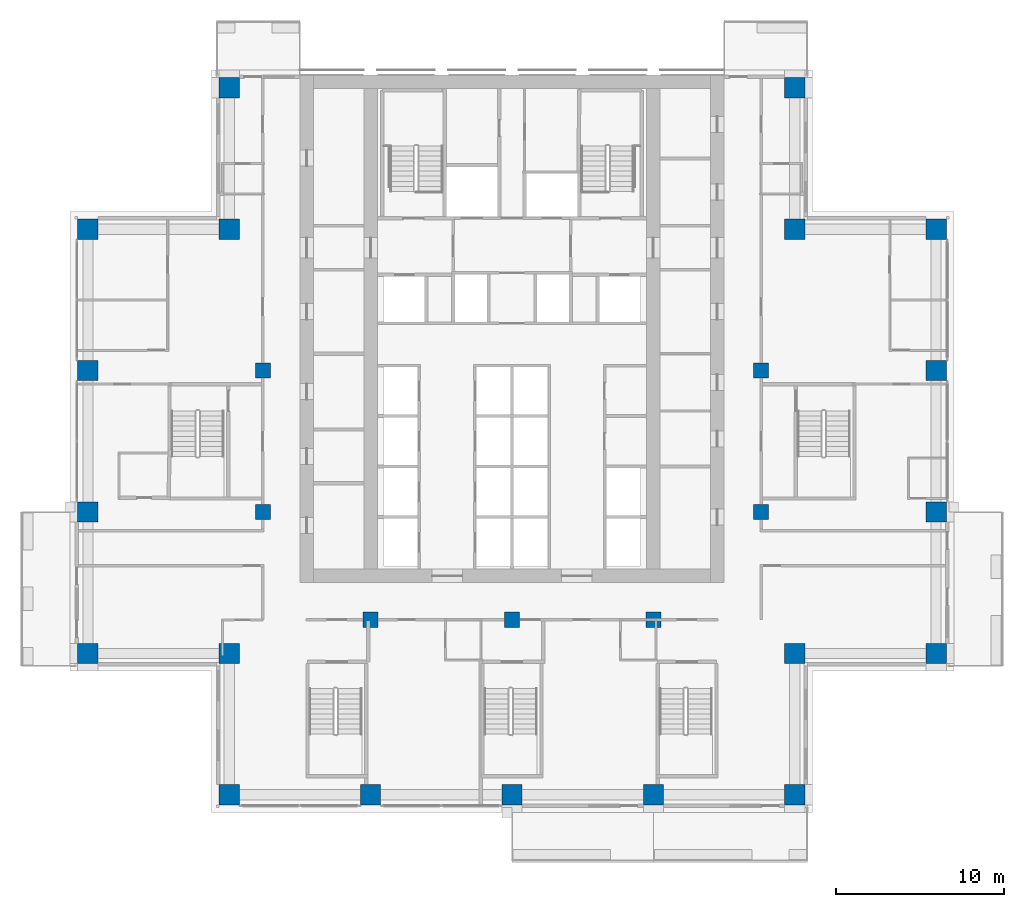
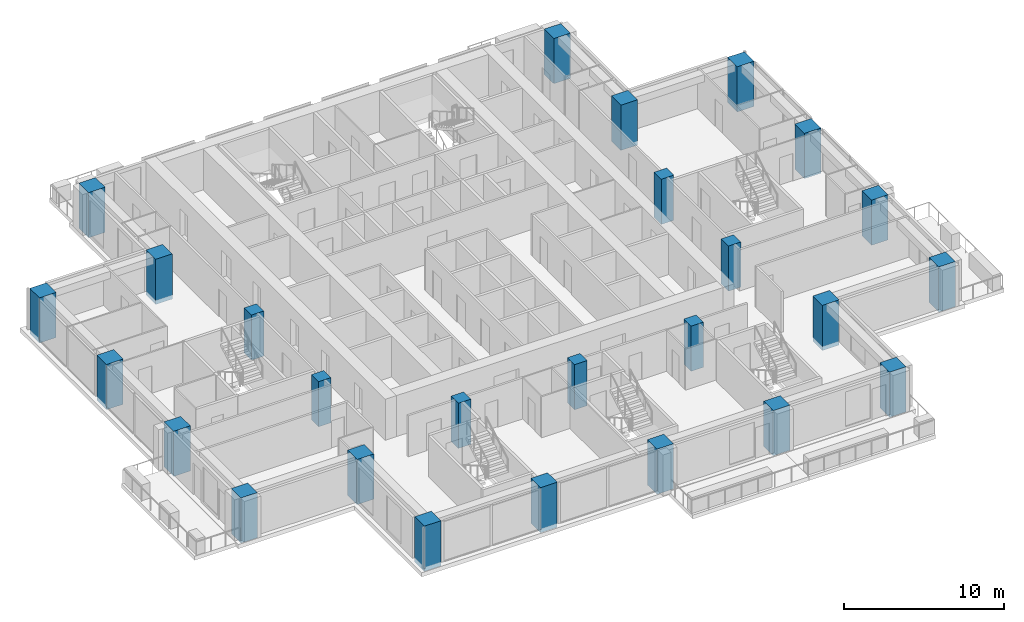
# One storey, part 1 of 18: 26 columns.
"""IFC4 building model written with IfcOpenShell, lengths in metres."""

from ifc_helpers import new_model, si_unit, direction, frame, origin, origin_2d, place, context, subcontext, project, spatial, rectangle, extrude, material, material_profile, profile_set, type_object, element, save


model = new_model("IFC4")

# Units and contexts
model_context = context("Model", 3, precision=1e-05, world=origin(), true_north=direction((0.0, 1.0)))
body_context = subcontext(model_context, "Body", "Model", "MODEL_VIEW")
ifc_project = project(units=[si_unit("LENGTHUNIT", "METRE"), si_unit("AREAUNIT", "SQUARE_METRE"), si_unit("VOLUMEUNIT", "CUBIC_METRE"), si_unit("PLANEANGLEUNIT", "RADIAN"), si_unit("MASSUNIT", "GRAM", prefix="KILO")], contexts=[model_context])

# Site, building, storey
site_placement = place(None, origin())
site = spatial("IfcSite", under=ifc_project, at=site_placement, CompositionType="ELEMENT")
building_placement = place(site_placement, origin())
building = spatial("IfcBuilding", under=site, at=building_placement, Name="Vermilion Ogive Tower", CompositionType="ELEMENT")
storey_placement = place(building_placement, frame((0.0, 0.0, 94.199951171875)))
storey = spatial("IfcBuildingStorey", under=building, at=storey_placement, Name="L23", CompositionType="ELEMENT", Elevation=94.199951171875)

# Columns
ifc_material_1 = material(Name="Concrete B80", Category="concrete")
ifc_material_profile_1 = material_profile(ifc_material_1, rectangle(XDim=1.199951171875, YDim=1.199951171875, at=origin_2d()), Name="1200 x 1200")
ifc_profile_set_1 = profile_set([ifc_material_profile_1], Name="Concrete B80")
column_type_1 = type_object("IfcColumnType", Name="Perimeter column 1200 x 1200 B80", PredefinedType="COLUMN", material=ifc_profile_set_1)
for number, where, z_axis, x_axis, name in (
    (1, (-16.800048828125, -21.0, -0.320068359375), (0.0, 0.0, 1.0), (1.0, 0.0, 0.0), "COL-L23-P-0168-210"),
    (2, (-8.39990234375, -21.0, -0.320068359375), (0.0, 0.0, 1.0), (1.0, 0.0, 0.0), "COL-L23-P-0084-210"),
    (3, (0.0, -21.0, -0.320068359375), (0.0, 0.0, 1.0), (1.0, 0.0, 0.0), "COL-L23-P+0000-210"),
    (4, (8.39990234375, -21.0, -0.320068359375), (0.0, 0.0, 1.0), (1.0, 0.0, 0.0), "COL-L23-P+0084-210"),
    (5, (16.800048828125, -21.0, -0.320068359375), (0.0, 0.0, 1.0), (1.0, 0.0, 0.0), "COL-L23-P+0168-210"),
    (6, (-25.199951171875, -12.60009765625, -0.320068359375), (0.0, 0.0, 1.0), (1.0, 0.0, 0.0), "COL-L23-P-0252-126"),
    (7, (-16.800048828125, -12.60009765625, -0.320068359375), (0.0, 0.0, 1.0), (1.0, 0.0, 0.0), "COL-L23-P-0168-126"),
    (8, (16.800048828125, -12.60009765625, -0.320068359375), (0.0, 0.0, 1.0), (1.0, 0.0, 0.0), "COL-L23-P+0168-126"),
    (9, (25.199951171875, -12.60009765625, -0.320068359375), (0.0, 0.0, 1.0), (1.0, 0.0, 0.0), "COL-L23-P+0252-126"),
    (10, (-25.199951171875, -4.199951171875, -0.320068359375), (0.0, 0.0, 1.0), (1.0, 0.0, 0.0), "COL-L23-P-0252-042"),
    (11, (25.199951171875, -4.199951171875, -0.320068359375), (0.0, 0.0, 1.0), (1.0, 0.0, 0.0), "COL-L23-P+0252-042"),
    (12, (-25.199951171875, 4.199951171875, -0.320068359375), (0.0, 0.0, 1.0), (1.0, 0.0, 0.0), "COL-L23-P-0252+042"),
    (13, (25.199951171875, 4.199951171875, -0.320068359375), (0.0, 0.0, 1.0), (1.0, 0.0, 0.0), "COL-L23-P+0252+042"),
    (14, (-25.199951171875, 12.60009765625, -0.320068359375), (0.0, 0.0, 1.0), (1.0, 0.0, 0.0), "COL-L23-P-0252+126"),
    (15, (-16.800048828125, 12.60009765625, -0.320068359375), (0.0, 0.0, 1.0), (1.0, 0.0, 0.0), "COL-L23-P-0168+126"),
    (16, (16.800048828125, 12.60009765625, -0.320068359375), (0.0, 0.0, 1.0), (1.0, 0.0, 0.0), "COL-L23-P+0168+126"),
    (17, (25.199951171875, 12.60009765625, -0.320068359375), (0.0, 0.0, 1.0), (1.0, 0.0, 0.0), "COL-L23-P+0252+126"),
    (18, (-16.800048828125, 21.0, -0.320068359375), (0.0, 0.0, 1.0), (1.0, 0.0, 0.0), "COL-L23-P-0168+210"),
    (19, (16.800048828125, 21.0, -0.320068359375), (0.0, 0.0, 1.0), (1.0, 0.0, 0.0), "COL-L23-P+0168+210"),
):
    element("IfcColumn", number, at=place(storey_placement, frame(where, z_axis=z_axis, x_axis=x_axis)), inside=storey, type_object=column_type_1, Name=name, PredefinedType="COLUMN", context=body_context, shape_type="SweptSolid", body=[
        extrude(rectangle(XDim=1.199951171875, YDim=1.199951171875, at=origin_2d()), origin(), (0.0, 0.0, 1.0), 3.4501953125),
    ])
ifc_material_2 = material(Name="Concrete B80", Category="concrete")
ifc_material_profile_2 = material_profile(ifc_material_2, rectangle(XDim=0.89990234375, YDim=0.89990234375, at=origin_2d()), Name="900 x 900")
ifc_profile_set_2 = profile_set([ifc_material_profile_2], Name="Concrete B80")
column_type_2 = type_object("IfcColumnType", Name="Ring column 900 x 900 B80", PredefinedType="COLUMN", material=ifc_profile_set_2)
for number, where, z_axis, x_axis, name in (
    (20, (-8.39990234375, -10.60009765625, -0.320068359375), (0.0, 0.0, 1.0), (1.0, 0.0, 0.0), "COL-L23-R-0084-106"),
    (21, (0.0, -10.60009765625, -0.320068359375), (0.0, 0.0, 1.0), (1.0, 0.0, 0.0), "COL-L23-R+0000-106"),
    (22, (8.39990234375, -10.60009765625, -0.320068359375), (0.0, 0.0, 1.0), (1.0, 0.0, 0.0), "COL-L23-R+0084-106"),
    (23, (-14.800048828125, -4.199951171875, -0.320068359375), (0.0, 0.0, 1.0), (1.0, 0.0, 0.0), "COL-L23-R-0148-042"),
    (24, (14.800048828125, -4.199951171875, -0.320068359375), (0.0, 0.0, 1.0), (1.0, 0.0, 0.0), "COL-L23-R+0148-042"),
    (25, (-14.800048828125, 4.199951171875, -0.320068359375), (0.0, 0.0, 1.0), (1.0, 0.0, 0.0), "COL-L23-R-0148+042"),
    (26, (14.800048828125, 4.199951171875, -0.320068359375), (0.0, 0.0, 1.0), (1.0, 0.0, 0.0), "COL-L23-R+0148+042"),
):
    element("IfcColumn", number, at=place(storey_placement, frame(where, z_axis=z_axis, x_axis=x_axis)), inside=storey, type_object=column_type_2, Name=name, PredefinedType="COLUMN", context=body_context, shape_type="SweptSolid", body=[
        extrude(rectangle(XDim=0.89990234375, YDim=0.89990234375, at=origin_2d()), origin(), (0.0, 0.0, 1.0), 3.4501953125),
    ])

save(model, "model.ifc")
